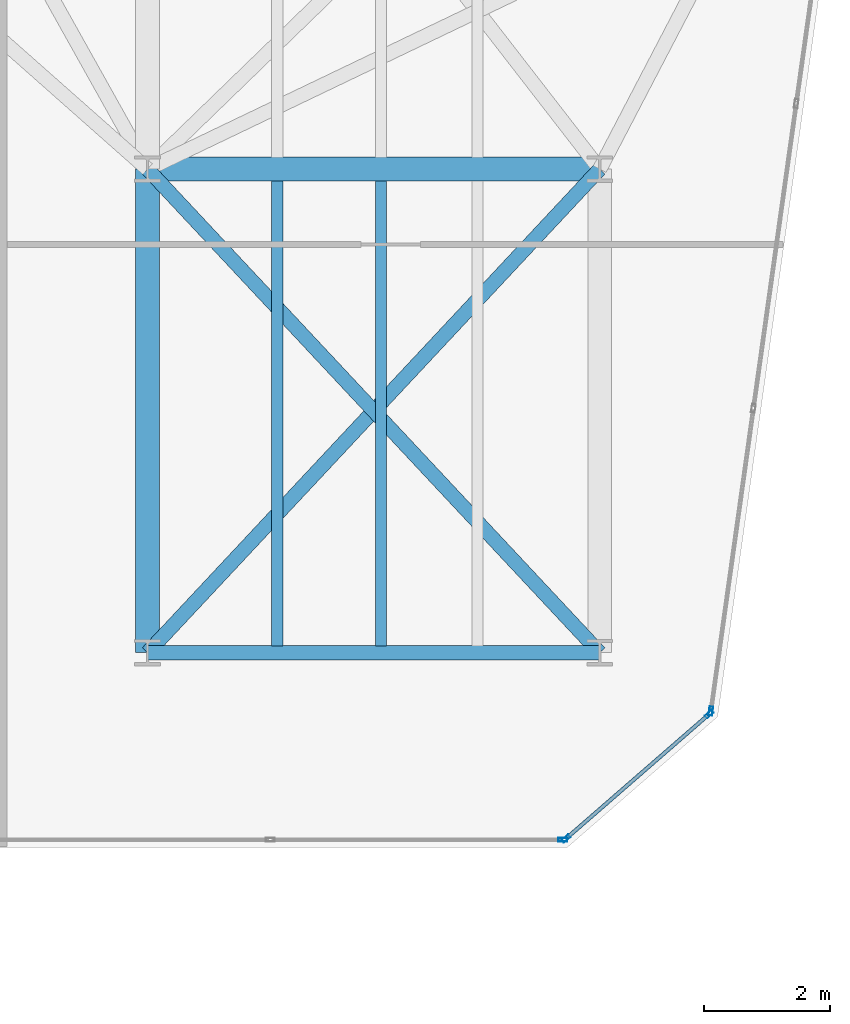
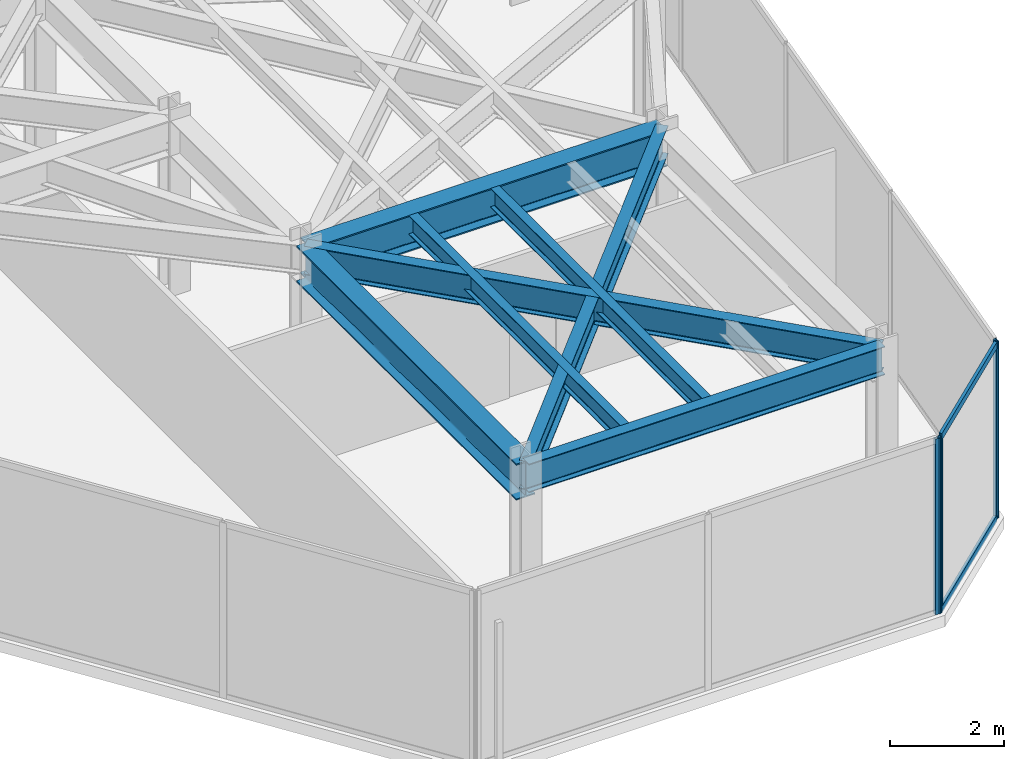
# One storey, part 10 of 21: 7 beams, 6 members, 3 elements without a shape of their own.
"""IFC4 building model written with IfcOpenShell, lengths in metres."""

from ifc_helpers import new_model, si_unit, direction, frame, origin, origin_2d, place, context, subcontext, project, spatial, hollow_rectangle, i_section, extrude, material, layer, layer_set, material_profile, profile_set, type_object, element, aggregate, save


model = new_model("IFC4")

# Units and contexts
model_context = context("Model", 3, precision=1e-05, world=origin(), true_north=direction((0.0, 1.0)))
body_context = subcontext(model_context, "Body", "Model", "MODEL_VIEW")
ifc_project = project(units=[si_unit("LENGTHUNIT", "METRE"), si_unit("AREAUNIT", "SQUARE_METRE"), si_unit("VOLUMEUNIT", "CUBIC_METRE"), si_unit("PLANEANGLEUNIT", "RADIAN"), si_unit("MASSUNIT", "GRAM", prefix="KILO")], contexts=[model_context])

# Site, building, storey
site_placement = place(None, origin())
site = spatial("IfcSite", under=ifc_project, at=site_placement, CompositionType="ELEMENT")
building_placement = place(site_placement, origin())
building = spatial("IfcBuilding", under=site, at=building_placement, Name="Kravanh Interchange Tower", CompositionType="ELEMENT")
storey_placement = place(building_placement, frame((0.0, 0.0, 160.5)))
storey = spatial("IfcBuildingStorey", under=building, at=storey_placement, Name="L38", CompositionType="ELEMENT", Elevation=160.5)

# Curtain wall, member
ifc_material_1 = material(Name="Anodised Bronze Aluminium", Category="aluminium")
ifc_layer = layer(ifc_material_1, 0.179931640625)
ifc_layer_set = layer_set([ifc_layer], Name="Unitised Curtain Wall System CW-Z3 Upper Office")
curtain_wall_type = type_object("IfcCurtainWallType", Name="Unitised Curtain Wall System CW-Z3 Upper Office", PredefinedType="NOTDEFINED", material=ifc_layer_set)
curtain_wall_1_placement = place(storey_placement, origin())
curtain_wall_1 = element("IfcCurtainWall", 1, at=curtain_wall_1_placement, inside=storey, type_object=curtain_wall_type, Name="L38 Unitised Curtain Wall CW-L38-01", PredefinedType="NOTDEFINED")
ifc_material_2 = material(Name="Anodised Bronze Aluminium", Category="aluminium")
ifc_material_profile_1 = material_profile(ifc_material_2, hollow_rectangle(XDim=0.06005859375, YDim=0.139892578125, WallThickness=0.00390625, at=origin_2d()), Name="ALU60X140X4")
ifc_profile_set_1 = profile_set([ifc_material_profile_1], Name="Anodised Bronze Aluminium")
member_type_1 = type_object("IfcMemberType", Name="Curtain Wall Mullion ALU60X140X4 Bronze", PredefinedType="MULLION", material=ifc_profile_set_1)
member_1_placement = place(storey_placement, frame((64.9697265625, 13.5703125, 0.0), z_axis=(0.0, 0.0, 1.0), x_axis=(0.990268194035, -0.139172209446, 0.0)))
member_1 = element("IfcMember", 2, at=member_1_placement, type_object=member_type_1, Name="CW-Z3 mullion 6", PredefinedType="MULLION", context=body_context, shape_type="SweptSolid", body=[
    extrude(hollow_rectangle(XDim=0.06005859375, YDim=0.139892578125, WallThickness=0.00390625, at=origin_2d()), origin(), (0.0, 0.0, 1.0), 3.7548828125),
])
aggregate(curtain_wall_1, [member_1])

# Curtain wall, members
curtain_wall_2_placement = place(storey_placement, origin())
curtain_wall_2 = element("IfcCurtainWall", 3, at=curtain_wall_2_placement, inside=storey, type_object=curtain_wall_type, Name="L38 Unitised Curtain Wall CW-L38-02", PredefinedType="NOTDEFINED")
member_2_placement = place(storey_placement, frame((64.94287109375, 13.52099609375, 0.0), z_axis=(0.0, 0.0, 1.0), x_axis=(0.65605090137, -0.754716645379, 0.0)))
member_2 = element("IfcMember", 4, at=member_2_placement, type_object=member_type_1, Name="CW-Z3 mullion 1", PredefinedType="MULLION", context=body_context, shape_type="SweptSolid", body=[
    extrude(hollow_rectangle(XDim=0.06005859375, YDim=0.139892578125, WallThickness=0.00390625, at=origin_2d()), origin(), (0.0, 0.0, 1.0), 3.7548828125),
])
member_3_placement = place(storey_placement, frame((62.66357421875, 11.539794921875, 0.0), z_axis=(0.0, 0.0, 1.0), x_axis=(0.65605090137, -0.754716645379, 0.0)))
member_3 = element("IfcMember", 5, at=member_3_placement, type_object=member_type_1, Name="CW-Z3 mullion 2", PredefinedType="MULLION", context=body_context, shape_type="SweptSolid", body=[
    extrude(hollow_rectangle(XDim=0.06005859375, YDim=0.139892578125, WallThickness=0.00390625, at=origin_2d()), origin(), (0.0, 0.0, 1.0), 3.7548828125),
])

# Curtain wall, member
curtain_wall_3_placement = place(storey_placement, origin())
curtain_wall_3 = element("IfcCurtainWall", 6, at=curtain_wall_3_placement, inside=storey, type_object=curtain_wall_type, Name="L38 Unitised Curtain Wall CW-L38-03", PredefinedType="NOTDEFINED")
member_4_placement = place(storey_placement, frame((62.611083984375, 11.52001953125, 0.0), z_axis=(0.0, 0.0, 1.0), x_axis=(0.0, -1.0, 0.0)))
member_4 = element("IfcMember", 7, at=member_4_placement, type_object=member_type_1, Name="CW-Z3 mullion 1", PredefinedType="MULLION", context=body_context, shape_type="SweptSolid", body=[
    extrude(hollow_rectangle(XDim=0.06005859375, YDim=0.139892578125, WallThickness=0.00390625, at=origin_2d()), origin(), (0.0, 0.0, 1.0), 3.7548828125),
])
aggregate(curtain_wall_3, [member_4])

# Member
ifc_material_3 = material(Name="Anodised Bronze Aluminium", Category="aluminium")
ifc_material_profile_2 = material_profile(ifc_material_3, hollow_rectangle(XDim=0.06005859375, YDim=0.139892578125, WallThickness=0.00390625, at=origin_2d()), Name="ALU60X140X4")
ifc_profile_set_2 = profile_set([ifc_material_profile_2], Name="Anodised Bronze Aluminium")
member_type_2 = type_object("IfcMemberType", Name="Curtain Wall Transom ALU60X140X4 Bronze", PredefinedType="USERDEFINED", material=ifc_profile_set_2)
member_5_placement = place(storey_placement, frame((64.92041015625, 13.501220703125, 0.030029296875), z_axis=(-0.754744002238, -0.656019428893, 0.0), x_axis=(0.656019428893, -0.754744002238, 0.0)))
member_5 = element("IfcMember", 8, at=member_5_placement, type_object=member_type_2, Name="CW-Z3 transom 1.1", ObjectType="TRANSOM", PredefinedType="USERDEFINED", context=body_context, shape_type="SweptSolid", body=[
    extrude(hollow_rectangle(XDim=0.06005859375, YDim=0.139892578125, WallThickness=0.00390625, at=origin_2d()), origin(), (0.0, 0.0, 1.0), 2.960205078125),
])

member_6_placement = place(storey_placement, frame((64.92041015625, 13.501220703125, 3.72509765625), z_axis=(-0.754744002238, -0.656019428893, 0.0), x_axis=(0.656019428893, -0.754744002238, 0.0)))
member_6 = element("IfcMember", 9, at=member_6_placement, type_object=member_type_2, Name="CW-Z3 transom 1.2", ObjectType="TRANSOM", PredefinedType="USERDEFINED", context=body_context, shape_type="SweptSolid", body=[
    extrude(hollow_rectangle(XDim=0.06005859375, YDim=0.139892578125, WallThickness=0.00390625, at=origin_2d()), origin(), (0.0, 0.0, 1.0), 2.960205078125),
])

aggregate(curtain_wall_2, [member_2, member_3, member_5, member_6])

# Beams
ifc_material_4 = material(Name="Structural Steel S355", Category="steel")
ifc_material_profile_3 = material_profile(ifc_material_4, i_section(OverallWidth=0.381103515625, OverallDepth=0.77294921875, WebThickness=0.0166015625, FlangeThickness=0.027099609375, FilletRadius=0.02490234375, at=origin_2d()), Name="W30X173")
ifc_profile_set_3 = profile_set([ifc_material_profile_3], Name="Structural Steel S355")
beam_type_1 = type_object("IfcBeamType", Name="Floor Beam W30X173 Structural Steel S355", PredefinedType="BEAM", material=ifc_profile_set_3)
beam_1_placement = place(storey_placement, frame((56.0, 14.5, 3.368408203125), z_axis=(0.0, 1.0, 0.0), x_axis=(-1.0, 0.0, 0.0)))
element("IfcBeam", 10, at=beam_1_placement, inside=storey, type_object=beam_type_1, Name="L38 Primary Floor Girder 87", PredefinedType="BEAM", context=body_context, shape_type="SweptSolid", body=[
    extrude(i_section(OverallWidth=0.381103515625, OverallDepth=0.77294921875, WebThickness=0.0166015625, FlangeThickness=0.027099609375, FilletRadius=0.02490234375, at=origin_2d()), origin(), (0.0, 0.0, 1.0), 7.699951171875),
])
beam_2_placement = place(storey_placement, frame((56.0, 22.199951171875, 3.368408203125), z_axis=(1.0, 0.0, 0.0), x_axis=(0.0, 1.0, 0.0)))
element("IfcBeam", 11, at=beam_2_placement, inside=storey, type_object=beam_type_1, Name="L38 Primary Floor Girder 92", PredefinedType="BEAM", context=body_context, shape_type="SweptSolid", body=[
    extrude(i_section(OverallWidth=0.381103515625, OverallDepth=0.77294921875, WebThickness=0.0166015625, FlangeThickness=0.027099609375, FilletRadius=0.02490234375, at=origin_2d()), origin(), (0.0, 0.0, 1.0), 7.199951171875),
])
ifc_material_5 = material(Name="Structural Steel S355", Category="steel")
ifc_material_profile_4 = material_profile(ifc_material_5, i_section(OverallWidth=0.177978515625, OverallDepth=0.406005859375, WebThickness=0.0078125, FlangeThickness=0.0126953125, FilletRadius=0.01611328125, at=origin_2d()), Name="W16X40")
ifc_profile_set_4 = profile_set([ifc_material_profile_4], Name="Structural Steel S355")
beam_type_2 = type_object("IfcBeamType", Name="Floor Joist W16X40 Structural Steel S355", PredefinedType="JOIST", material=ifc_profile_set_4)
for number, where, z_axis, x_axis, name in (
    (12, (58.06591796875, 14.60888671875, 3.552001953125), (0.0, 1.0, 0.0), (-1.0, 0.0, 0.0), "L38 Secondary Floor Joist 4"),
    (13, (59.718017578125, 14.60888671875, 3.552001953125), (0.0, 1.0, 0.0), (-1.0, 0.0, 0.0), "L38 Secondary Floor Joist 5"),
):
    element("IfcBeam", number, at=place(storey_placement, frame(where, z_axis=z_axis, x_axis=x_axis)), inside=storey, type_object=beam_type_2, Name=name, PredefinedType="JOIST", context=body_context, shape_type="SweptSolid", body=[
        extrude(i_section(OverallWidth=0.177978515625, OverallDepth=0.406005859375, WebThickness=0.0078125, FlangeThickness=0.0126953125, FilletRadius=0.01611328125, at=origin_2d()), origin(), (0.0, 0.0, 1.0), 7.405517578125),
    ])
ifc_material_6 = material(Name="Structural Steel S355", Category="steel")
ifc_material_profile_5 = material_profile(ifc_material_6, i_section(OverallWidth=0.22802734375, OverallDepth=0.60791015625, WebThickness=0.01123046875, FlangeThickness=0.017333984375, FilletRadius=0.02197265625, at=origin_2d()), Name="W24X76")
ifc_profile_set_5 = profile_set([ifc_material_profile_5], Name="Structural Steel S355")
beam_type_3 = type_object("IfcBeamType", Name="Floor Spandrel W24X76 Structural Steel S355", PredefinedType="SPANDREL", material=ifc_profile_set_5)
beam_3_placement = place(storey_placement, frame((56.0, 14.5, 3.450927734375), z_axis=(1.0, 0.0, 0.0), x_axis=(0.0, 1.0, 0.0)))
element("IfcBeam", 14, at=beam_3_placement, inside=storey, type_object=beam_type_3, Name="L38 Perimeter Spandrel 86", PredefinedType="SPANDREL", context=body_context, shape_type="SweptSolid", body=[
    extrude(i_section(OverallWidth=0.22802734375, OverallDepth=0.60791015625, WebThickness=0.01123046875, FlangeThickness=0.017333984375, FilletRadius=0.02197265625, at=origin_2d()), origin(), (0.0, 0.0, 1.0), 7.199951171875),
])
for number, where, z_axis, x_axis, name in (
    (15, (56.0, 14.5, 3.450927734375), (0.682993762113, 0.73042420614, 0.0), (-0.73042420614, 0.682993762113, 0.0), "L38 Perimeter Spandrel 88"),
    (16, (63.199951171875, 14.5, 3.450927734375), (-0.682993762113, 0.73042420614, 0.0), (-0.73042420614, -0.682993762113, 0.0), "L38 Perimeter Spandrel 90"),
):
    element("IfcBeam", number, at=place(storey_placement, frame(where, z_axis=z_axis, x_axis=x_axis)), inside=storey, type_object=beam_type_3, Name=name, PredefinedType="SPANDREL", context=body_context, shape_type="SweptSolid", body=[
        extrude(i_section(OverallWidth=0.22802734375, OverallDepth=0.60791015625, WebThickness=0.01123046875, FlangeThickness=0.017333984375, FilletRadius=0.02197265625, at=origin_2d()), origin(), (0.0, 0.0, 1.0), 10.541748046875),
    ])

save(model, "model.ifc")
